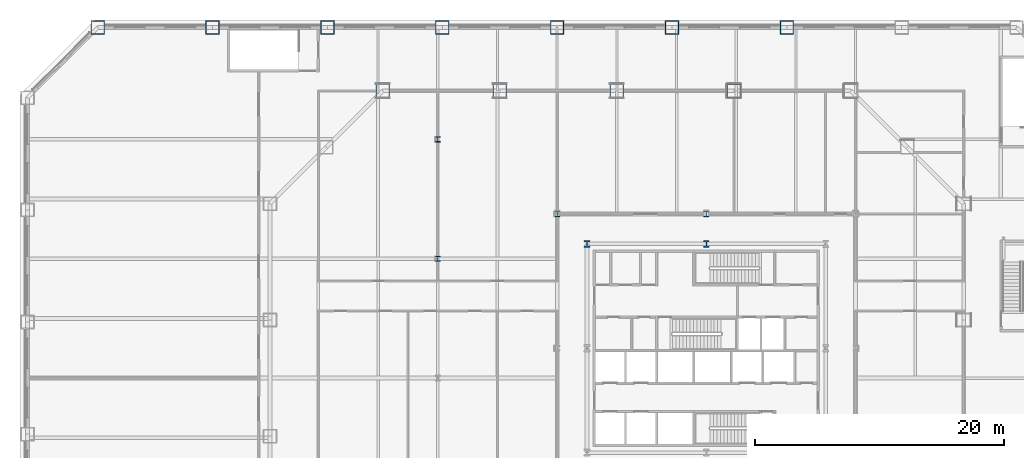
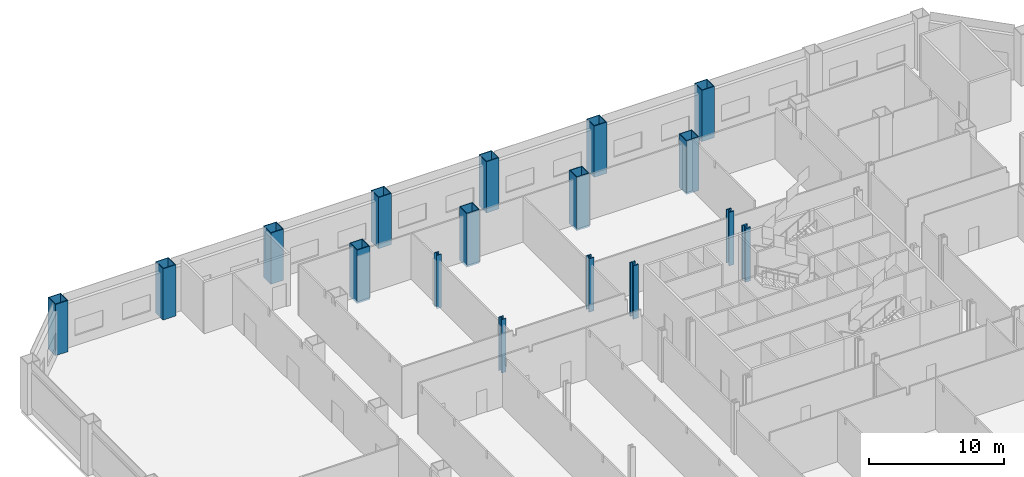
# One storey, part 2 of 22: 17 columns.
"""IFC4 building model written with IfcOpenShell, lengths in metres."""

import ifcopenshell
import ifcopenshell.guid

model = None  # the IFC model being written
_history = None  # IfcOwnerHistory: only IFC2X3 demands one
_inside = {}  # id of a spatial element -> (the spatial element, [elements in it])
_under = {}  # id of a project, library or spatial element -> (it, [spatial elements below it])
_declared = {}  # id of a project -> (the project, [libraries it declares])
_typed = {}  # id of a type object -> (the type object, [elements of that type])
_made_of = {}  # id of a material, layer set ... -> (it, [elements and type objects made of it])


def new_model(schema):
    """Start an empty IFC model of exactly this schema.

    Asked for "IFC4X3", IfcOpenShell would pick the latest addendum, in which some entities
    have other attributes; the version numbers below select the first issue.
    IFC2X3 requires an IfcOwnerHistory on every rooted entity: one is made here for all.
    """
    global model, _history
    if schema == "IFC4X3":
        model = ifcopenshell.file(schema_version=(4, 3, 0, 0))
    else:
        model = ifcopenshell.file(schema=schema)
    _inside.clear()
    _under.clear()
    _declared.clear()
    _typed.clear()
    _made_of.clear()
    _history = None
    if model.schema == "IFC2X3":
        org = make("IfcOrganization", Name="unknown")
        user = make(
            "IfcPersonAndOrganization",
            ThePerson=make("IfcPerson", FamilyName="unknown"),
            TheOrganization=org,
        )
        app = make(
            "IfcApplication",
            ApplicationDeveloper=org,
            Version="unknown",
            ApplicationFullName="unknown",
            ApplicationIdentifier="unknown",
        )
        _history = make(
            "IfcOwnerHistory",
            OwningUser=user,
            OwningApplication=app,
            ChangeAction="ADDED",
            CreationDate=0,
        )
    return model


def make(cls, **values):
    """One entity of the class cls with the attributes given. An attribute that is None is left unset."""
    return model.create_entity(
        cls, **{name: value for name, value in values.items() if value is not None}
    )


def rooted(cls, **values):
    """An entity with a GlobalId (a new one), such as an element, a storey or a relation."""
    return make(cls, GlobalId=ifcopenshell.guid.new(), OwnerHistory=_history, **values)


def si_unit(unit_type, name, prefix=None):
    """IfcSIUnit, for example si_unit("LENGTHUNIT", "METRE", prefix="MILLI")."""
    return make("IfcSIUnit", UnitType=unit_type, Prefix=prefix, Name=name)


def assignment(units):
    """IfcUnitAssignment: the units of a project."""
    return None if units is None else make("IfcUnitAssignment", Units=units)


def point(xyz):
    """IfcCartesianPoint."""
    return None if xyz is None else make("IfcCartesianPoint", Coordinates=xyz)


def direction(xyz):
    """IfcDirection."""
    return None if xyz is None else make("IfcDirection", DirectionRatios=xyz)


def frame(location, z_axis=None, x_axis=None):
    """IfcAxis2Placement3D, a coordinate frame: its origin and axes. An axis left out is left unset."""
    return make(
        "IfcAxis2Placement3D",
        Location=point(location),
        Axis=direction(z_axis),
        RefDirection=direction(x_axis),
    )


def frame_2d(location, x_axis=None):
    """IfcAxis2Placement2D, a coordinate frame in the plane: its origin and x axis."""
    return make(
        "IfcAxis2Placement2D", Location=point(location), RefDirection=direction(x_axis)
    )


def origin():
    """The frame at (0, 0, 0) with its axes left unset."""
    return frame((0.0, 0.0, 0.0))


def origin_2d():
    """The frame at (0, 0) in the plane with its x axis left unset."""
    return frame_2d((0.0, 0.0))


def place(relative_to, where):
    """IfcLocalPlacement: puts the frame where relative to a parent placement (None: the world)."""
    return make(
        "IfcLocalPlacement", PlacementRelTo=relative_to, RelativePlacement=where
    )


def context(
    kind, dimensions, precision=None, world=None, true_north=None, identifier=None
):
    """IfcGeometricRepresentationContext, for example the 3D "Model" context."""
    return make(
        "IfcGeometricRepresentationContext",
        ContextIdentifier=identifier,
        ContextType=kind,
        CoordinateSpaceDimension=dimensions,
        Precision=precision,
        WorldCoordinateSystem=world,
        TrueNorth=true_north,
    )


def subcontext(parent, identifier, kind, view, scale=None):
    """IfcGeometricRepresentationSubContext, for example "Body" below "Model"."""
    return make(
        "IfcGeometricRepresentationSubContext",
        ContextIdentifier=identifier,
        ContextType=kind,
        ParentContext=parent,
        TargetScale=scale,
        TargetView=view,
    )


def project(units=None, contexts=None):
    """IfcProject with its units and contexts."""
    return rooted(
        "IfcProject",
        Name="project",
        RepresentationContexts=contexts,
        UnitsInContext=assignment(units),
    )


def spatial(cls, under=None, at=None, **own):
    """A site, building, storey or space (cls), placed at a placement, below another one or the project."""
    s = rooted(cls, ObjectPlacement=at, **own)
    if under is not None:
        _under.setdefault(under.id(), (under, []))[1].append(s)
    return s


def profile(cls, at=None, kind="AREA", **sizes):
    """A parametric profile (cls). Its sizes go by their IFC names, for example OverallWidth=200.0."""
    return make(cls, ProfileType=kind, Position=at, **sizes)


def hollow_rectangle(**sizes):
    """IfcRectangleHollowProfileDef."""
    return profile("IfcRectangleHollowProfileDef", **sizes)


def i_section(**sizes):
    """IfcIShapeProfileDef."""
    return profile("IfcIShapeProfileDef", **sizes)


def extrude(swept, where, along, depth):
    """IfcExtrudedAreaSolid: the profile swept, set in the frame where, extruded along a direction by depth."""
    return make(
        "IfcExtrudedAreaSolid",
        SweptArea=swept,
        Position=where,
        ExtrudedDirection=direction(along),
        Depth=depth,
    )


def shape(context_of_items, identifier, shape_type, items):
    """IfcShapeRepresentation: the items that make up one representation, for example the "Body"."""
    return make(
        "IfcShapeRepresentation",
        ContextOfItems=context_of_items,
        RepresentationIdentifier=identifier,
        RepresentationType=shape_type,
        Items=items,
    )


def material(Name=None, Category=None):
    """IfcMaterial."""
    return make("IfcMaterial", Name=Name, Category=Category)


def material_profile(
    of_material, cross_section, Name=None, Category=None, Priority=None
):
    """IfcMaterialProfile: a cross section and its material."""
    return make(
        "IfcMaterialProfile",
        Name=Name,
        Material=of_material,
        Profile=cross_section,
        Priority=Priority,
        Category=Category,
    )


def profile_set(profiles, Name=None, composite=None):
    """IfcMaterialProfileSet."""
    return make(
        "IfcMaterialProfileSet",
        Name=Name,
        MaterialProfiles=profiles,
        CompositeProfile=composite,
    )


def made_of(thing, what):
    """Note that an element or type object is made of a material, layer set ...; save() writes the relation."""
    if what is not None:
        _made_of.setdefault(what.id(), (what, []))[1].append(thing)
    return thing


def type_object(cls, material=None, **own):
    """A type object (cls), such as IfcWallType, which elements share."""
    return made_of(rooted(cls, **own), material)


def element(
    cls,
    number,
    at=None,
    inside=None,
    cuts=None,
    type_object=None,
    material=None,
    context=None,
    identifier="Body",
    shape_type=None,
    held_by="IfcProductDefinitionShape",
    body=None,
    shapes=None,
    **own,
):
    """One element of the class cls, such as IfcWall. Its Tag is "e" and its number.

    at: its placement. inside: the storey or other place that contains it. cuts: it is an
    opening in that element (IfcRelVoidsElement). A single representation is given by context,
    identifier, shape_type and body (its items); several are given by shapes. held_by: the class
    of the entity that holds the representations. save() writes the other relations.
    """
    e = rooted(cls, Tag="e%d" % number, ObjectPlacement=at, **own)
    if body is not None:
        shapes = [shape(context, identifier, shape_type, body)]
    if shapes is not None:
        e.Representation = make(held_by, Representations=shapes)
    if inside is not None:
        _inside.setdefault(inside.id(), (inside, []))[1].append(e)
    if cuts is not None:
        rooted(
            "IfcRelVoidsElement", RelatingBuildingElement=cuts, RelatedOpeningElement=e
        )
    if type_object is not None:
        _typed.setdefault(type_object.id(), (type_object, []))[1].append(e)
    return made_of(e, material)


def aggregate(whole, parts):
    """IfcRelAggregates: a whole, such as a stair, and the parts it consists of."""
    return rooted("IfcRelAggregates", RelatingObject=whole, RelatedObjects=parts)


def save(model, path):
    """Write the relations noted so far, then the file.

    IfcRelAggregates (storeys below a building ...), IfcRelContainedInSpatialStructure (elements
    in a storey), IfcRelDefinesByType, IfcRelAssociatesMaterial and IfcRelDeclares: one each for
    every whole, place, type object, material and project.
    """
    for whole, parts in _under.values():
        aggregate(whole, parts)
    for where, things in _inside.values():
        rooted(
            "IfcRelContainedInSpatialStructure",
            RelatedElements=things,
            RelatingStructure=where,
        )
    for kind, things in _typed.values():
        rooted("IfcRelDefinesByType", RelatedObjects=things, RelatingType=kind)
    for what, things in _made_of.values():
        rooted("IfcRelAssociatesMaterial", RelatedObjects=things, RelatingMaterial=what)
    for by, libraries in _declared.values():
        rooted("IfcRelDeclares", RelatingContext=by, RelatedDefinitions=libraries)
    model.write(path)


model = new_model("IFC4")

# Units and contexts
model_context = context("Model", 3, precision=1e-05, world=origin(), true_north=direction((0.0, 1.0)))
body_context = subcontext(model_context, "Body", "Model", "MODEL_VIEW")
ifc_project = project(units=[si_unit("LENGTHUNIT", "METRE"), si_unit("AREAUNIT", "SQUARE_METRE"), si_unit("VOLUMEUNIT", "CUBIC_METRE"), si_unit("PLANEANGLEUNIT", "RADIAN"), si_unit("MASSUNIT", "GRAM", prefix="KILO")], contexts=[model_context])

# Site, building, storey
site_placement = place(None, origin())
site = spatial("IfcSite", under=ifc_project, at=site_placement, CompositionType="ELEMENT")
building_placement = place(site_placement, origin())
building = spatial("IfcBuilding", under=site, at=building_placement, Name="Cairn Pilgrim Tower", CompositionType="ELEMENT")
storey_placement = place(building_placement, frame((0.0, 0.0, 35.39990234375)))
storey = spatial("IfcBuildingStorey", under=building, at=storey_placement, Name="L06", CompositionType="ELEMENT", Elevation=35.39990234375)

# Columns
ifc_material = material(Name="Structural steel S460M", Category="steel")
ifc_material_profile_1 = material_profile(ifc_material, hollow_rectangle(XDim=1.10009765625, YDim=1.10009765625, WallThickness=0.06005859375, at=origin_2d()), Name="BOX 1100x1100x60")
ifc_profile_set_1 = profile_set([ifc_material_profile_1], Name="Structural steel S460M")
column_type_1 = type_object("IfcColumnType", Name="BOX 1100x1100x60", PredefinedType="COLUMN", material=ifc_profile_set_1)
for number, where, z_axis, x_axis, name in (
    (1, (9.41357421875, 23.10009765625, -0.199951171875), (0.0, 0.0, 1.0), (1.0, 0.0, 0.0), "PC1-N2"),
    (2, (0.0, 23.10009765625, -0.199951171875), (0.0, 0.0, 1.0), (1.0, 0.0, 0.0), "PC1-N3"),
    (3, (-9.41357421875, 23.10009765625, -0.199951171875), (0.0, 0.0, 1.0), (1.0, 0.0, 0.0), "PC1-N4"),
    (4, (-18.8271484375, 23.10009765625, -0.199951171875), (0.0, 0.0, 1.0), (1.0, 0.0, 0.0), "PC1-NW1"),
):
    element("IfcColumn", number, at=place(storey_placement, frame(where, z_axis=z_axis, x_axis=x_axis)), inside=storey, type_object=column_type_1, Name=name, PredefinedType="COLUMN", context=body_context, shape_type="SweptSolid", body=[
        extrude(hollow_rectangle(XDim=1.10009765625, YDim=1.10009765625, WallThickness=0.06005859375, at=origin_2d()), origin(), (0.0, 0.0, 1.0), 4.85009765625),
    ])
ifc_material_profile_2 = material_profile(ifc_material, i_section(OverallWidth=0.4541015625, OverallDepth=0.569091796875, WebThickness=0.077880859375, FlangeThickness=0.125, FilletRadius=0.014892578125, at=origin_2d()), Name="HD 400x1086")
ifc_profile_set_2 = profile_set([ifc_material_profile_2], Name="Structural steel S460M")
column_type_2 = type_object("IfcColumnType", Name="HD 400x1086", PredefinedType="COLUMN", material=ifc_profile_set_2)
for number, where, z_axis, x_axis, name in (
    (5, (-2.39990234375, 10.800048828125, -0.199951171875), (0.0, 0.0, 1.0), (1.0, 0.0, 0.0), "KC-6"),
    (6, (7.199951171875, 10.800048828125, -0.199951171875), (0.0, 0.0, 1.0), (1.0, 0.0, 0.0), "KC-7"),
):
    element("IfcColumn", number, at=place(storey_placement, frame(where, z_axis=z_axis, x_axis=x_axis)), inside=storey, type_object=column_type_2, Name=name, PredefinedType="COLUMN", context=body_context, shape_type="SweptSolid", body=[
        extrude(i_section(OverallWidth=0.4541015625, OverallDepth=0.569091796875, WebThickness=0.077880859375, FlangeThickness=0.125, FilletRadius=0.014892578125, at=origin_2d()), origin(), (0.0, 0.0, 1.0), 4.85009765625),
    ])
ifc_material_profile_3 = material_profile(ifc_material, i_section(OverallWidth=0.408935546875, OverallDepth=0.425048828125, WebThickness=0.03271484375, FlangeThickness=0.052490234375, FilletRadius=0.014892578125, at=origin_2d()), Name="HD 400x421")
ifc_profile_set_3 = profile_set([ifc_material_profile_3], Name="Structural steel S460M")
column_type_3 = type_object("IfcColumnType", Name="HD 400x421", PredefinedType="COLUMN", material=ifc_profile_set_3)
for number, where, z_axis, x_axis, name in (
    (7, (-14.39990234375, 9.60009765625, -0.199951171875), (0.0, 0.0, 1.0), (1.0, 0.0, 0.0), "WC-WW+2"),
    (8, (-14.39990234375, 19.199951171875, -0.199951171875), (0.0, 0.0, 1.0), (1.0, 0.0, 0.0), "WC-WW+4"),
):
    element("IfcColumn", number, at=place(storey_placement, frame(where, z_axis=z_axis, x_axis=x_axis)), inside=storey, type_object=column_type_3, Name=name, PredefinedType="COLUMN", context=body_context, shape_type="SweptSolid", body=[
        extrude(i_section(OverallWidth=0.408935546875, OverallDepth=0.425048828125, WebThickness=0.03271484375, FlangeThickness=0.052490234375, FilletRadius=0.014892578125, at=origin_2d()), origin(), (0.0, 0.0, 1.0), 4.85009765625),
    ])
ifc_material_profile_4 = material_profile(ifc_material, i_section(OverallWidth=0.424072265625, OverallDepth=0.47412109375, WebThickness=0.047607421875, FlangeThickness=0.0771484375, FilletRadius=0.014892578125, at=origin_2d()), Name="HD 400x634")
ifc_profile_set_4 = profile_set([ifc_material_profile_4], Name="Structural steel S460M")
column_type_4 = type_object("IfcColumnType", Name="HD 400x634", PredefinedType="COLUMN", material=ifc_profile_set_4)
for number, where, z_axis, x_axis, name in (
    (9, (-4.800048828125, 13.199951171875, -0.199951171875), (0.0, 0.0, 1.0), (1.0, 0.0, 0.0), "IC-6"),
    (10, (7.199951171875, 13.199951171875, -0.199951171875), (0.0, 0.0, 1.0), (1.0, 0.0, 0.0), "IC-7"),
):
    element("IfcColumn", number, at=place(storey_placement, frame(where, z_axis=z_axis, x_axis=x_axis)), inside=storey, type_object=column_type_4, Name=name, PredefinedType="COLUMN", context=body_context, shape_type="SweptSolid", body=[
        extrude(i_section(OverallWidth=0.424072265625, OverallDepth=0.47412109375, WebThickness=0.047607421875, FlangeThickness=0.0771484375, FilletRadius=0.014892578125, at=origin_2d()), origin(), (0.0, 0.0, 1.0), 4.85009765625),
    ])
ifc_material_profile_5 = material_profile(ifc_material, hollow_rectangle(XDim=1.10009765625, YDim=1.10009765625, WallThickness=0.06005859375, at=origin_2d()), Name="BOX 1100x1100x60")
ifc_profile_set_5 = profile_set([ifc_material_profile_5], Name="Structural steel S460M")
column_type_5 = type_object("IfcColumnType", Name="PILOTIS CFT 1100", PredefinedType="COLUMN", material=ifc_profile_set_5)
for number, where, z_axis, x_axis, name in (
    (11, (13.67578125, 28.199951171875, 0.0), (0.0, 0.0, 1.0), (1.0, 0.0, 0.0), "PILOTIS PL-N3"),
    (12, (4.43798828125, 28.199951171875, 0.0), (0.0, 0.0, 1.0), (1.0, 0.0, 0.0), "PILOTIS PL-N4"),
    (13, (-4.800048828125, 28.199951171875, 0.0), (0.0, 0.0, 1.0), (1.0, 0.0, 0.0), "PILOTIS PL-N5"),
    (14, (-14.037841796875, 28.199951171875, 0.0), (0.0, 0.0, 1.0), (1.0, 0.0, 0.0), "PILOTIS PL-N6"),
    (15, (-23.275634765625, 28.199951171875, 0.0), (0.0, 0.0, 1.0), (1.0, 0.0, 0.0), "PILOTIS PL-N7"),
    (16, (-32.513671875, 28.199951171875, 0.0), (0.0, 0.0, 1.0), (1.0, 0.0, 0.0), "PILOTIS PL-N8"),
    (17, (-41.75146484375, 28.199951171875, 0.0), (0.0, 0.0, 1.0), (1.0, 0.0, 0.0), "PILOTIS PL-NW1"),
):
    element("IfcColumn", number, at=place(storey_placement, frame(where, z_axis=z_axis, x_axis=x_axis)), inside=storey, type_object=column_type_5, Name=name, PredefinedType="COLUMN", context=body_context, shape_type="SweptSolid", body=[
        extrude(hollow_rectangle(XDim=1.10009765625, YDim=1.10009765625, WallThickness=0.06005859375, at=origin_2d()), origin(), (0.0, 0.0, 1.0), 4.650146484375),
    ])

save(model, "model.ifc")
